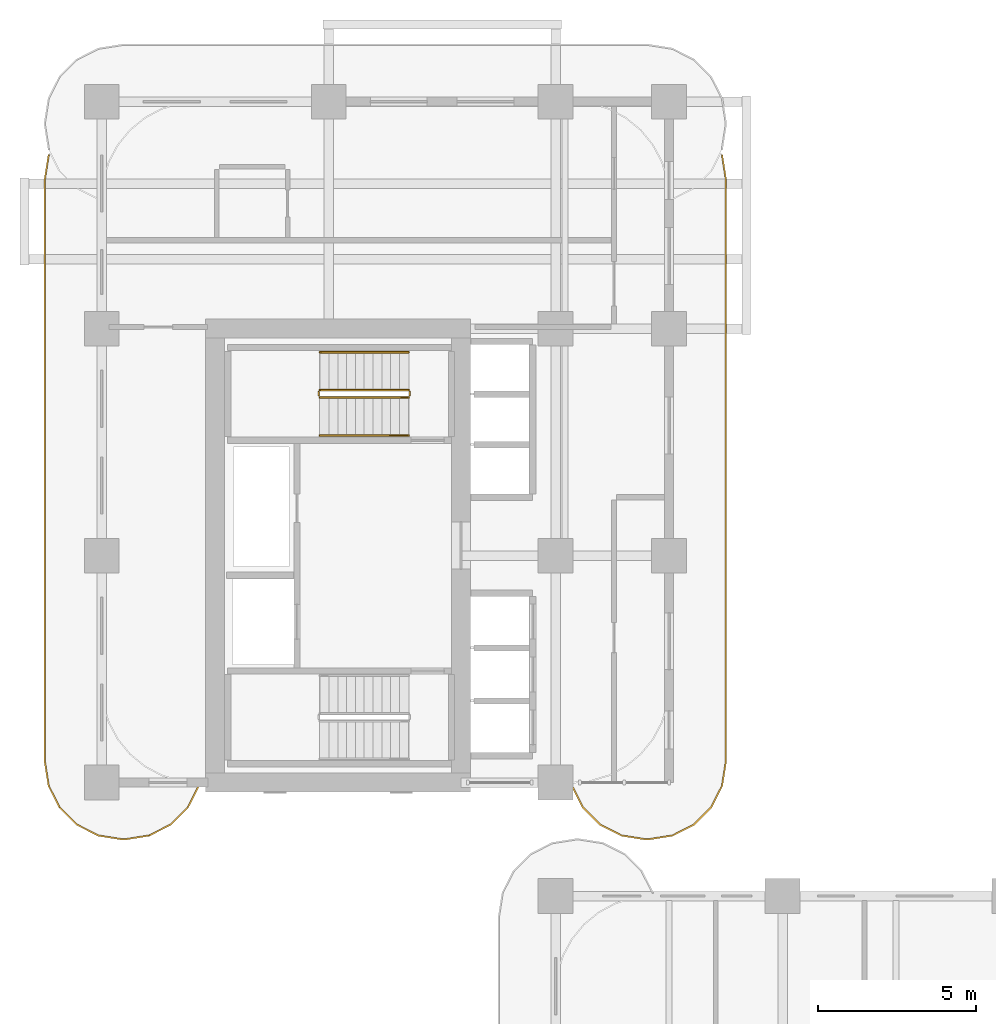
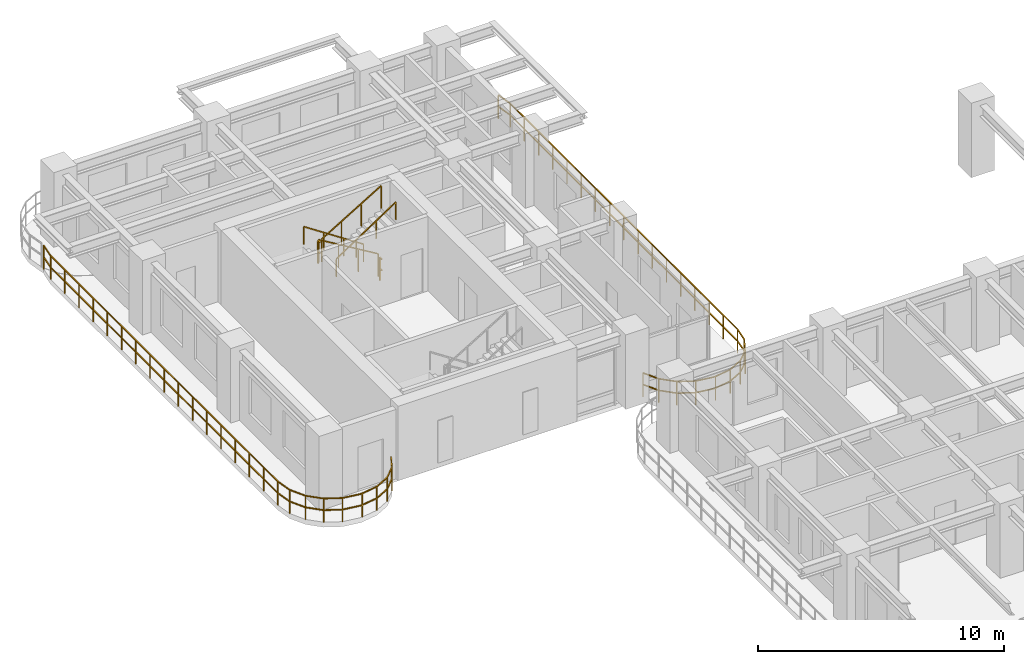
# One storey, part 18 of 19: 8 railings.
"""IFC4 building model written with IfcOpenShell, lengths in metres."""

import ifcopenshell
import ifcopenshell.guid

model = None  # the IFC model being written
_history = None  # IfcOwnerHistory: only IFC2X3 demands one
_inside = {}  # id of a spatial element -> (the spatial element, [elements in it])
_under = {}  # id of a project, library or spatial element -> (it, [spatial elements below it])
_declared = {}  # id of a project -> (the project, [libraries it declares])
_typed = {}  # id of a type object -> (the type object, [elements of that type])
_made_of = {}  # id of a material, layer set ... -> (it, [elements and type objects made of it])


def new_model(schema):
    """Start an empty IFC model of exactly this schema.

    Asked for "IFC4X3", IfcOpenShell would pick the latest addendum, in which some entities
    have other attributes; the version numbers below select the first issue.
    IFC2X3 requires an IfcOwnerHistory on every rooted entity: one is made here for all.
    """
    global model, _history
    if schema == "IFC4X3":
        model = ifcopenshell.file(schema_version=(4, 3, 0, 0))
    else:
        model = ifcopenshell.file(schema=schema)
    _inside.clear()
    _under.clear()
    _declared.clear()
    _typed.clear()
    _made_of.clear()
    _history = None
    if model.schema == "IFC2X3":
        org = make("IfcOrganization", Name="unknown")
        user = make(
            "IfcPersonAndOrganization",
            ThePerson=make("IfcPerson", FamilyName="unknown"),
            TheOrganization=org,
        )
        app = make(
            "IfcApplication",
            ApplicationDeveloper=org,
            Version="unknown",
            ApplicationFullName="unknown",
            ApplicationIdentifier="unknown",
        )
        _history = make(
            "IfcOwnerHistory",
            OwningUser=user,
            OwningApplication=app,
            ChangeAction="ADDED",
            CreationDate=0,
        )
    return model


def make(cls, **values):
    """One entity of the class cls with the attributes given. An attribute that is None is left unset."""
    return model.create_entity(
        cls, **{name: value for name, value in values.items() if value is not None}
    )


def rooted(cls, **values):
    """An entity with a GlobalId (a new one), such as an element, a storey or a relation."""
    return make(cls, GlobalId=ifcopenshell.guid.new(), OwnerHistory=_history, **values)


def si_unit(unit_type, name, prefix=None):
    """IfcSIUnit, for example si_unit("LENGTHUNIT", "METRE", prefix="MILLI")."""
    return make("IfcSIUnit", UnitType=unit_type, Prefix=prefix, Name=name)


def derived_unit(unit_type, elements):
    """IfcDerivedUnit: a product of units, each with its exponent."""
    return make(
        "IfcDerivedUnit",
        Elements=[
            make("IfcDerivedUnitElement", Unit=unit, Exponent=power)
            for unit, power in elements
        ],
        UnitType=unit_type,
    )


def assignment(units):
    """IfcUnitAssignment: the units of a project."""
    return None if units is None else make("IfcUnitAssignment", Units=units)


def point(xyz):
    """IfcCartesianPoint."""
    return None if xyz is None else make("IfcCartesianPoint", Coordinates=xyz)


def direction(xyz):
    """IfcDirection."""
    return None if xyz is None else make("IfcDirection", DirectionRatios=xyz)


def frame(location, z_axis=None, x_axis=None):
    """IfcAxis2Placement3D, a coordinate frame: its origin and axes. An axis left out is left unset."""
    return make(
        "IfcAxis2Placement3D",
        Location=point(location),
        Axis=direction(z_axis),
        RefDirection=direction(x_axis),
    )


def frame_2d(location, x_axis=None):
    """IfcAxis2Placement2D, a coordinate frame in the plane: its origin and x axis."""
    return make(
        "IfcAxis2Placement2D", Location=point(location), RefDirection=direction(x_axis)
    )


def origin():
    """The frame at (0, 0, 0) with its axes left unset."""
    return frame((0.0, 0.0, 0.0))


def origin_2d():
    """The frame at (0, 0) in the plane with its x axis left unset."""
    return frame_2d((0.0, 0.0))


def place(relative_to, where):
    """IfcLocalPlacement: puts the frame where relative to a parent placement (None: the world)."""
    return make(
        "IfcLocalPlacement", PlacementRelTo=relative_to, RelativePlacement=where
    )


def context(
    kind, dimensions, precision=None, world=None, true_north=None, identifier=None
):
    """IfcGeometricRepresentationContext, for example the 3D "Model" context."""
    return make(
        "IfcGeometricRepresentationContext",
        ContextIdentifier=identifier,
        ContextType=kind,
        CoordinateSpaceDimension=dimensions,
        Precision=precision,
        WorldCoordinateSystem=world,
        TrueNorth=true_north,
    )


def subcontext(parent, identifier, kind, view, scale=None):
    """IfcGeometricRepresentationSubContext, for example "Body" below "Model"."""
    return make(
        "IfcGeometricRepresentationSubContext",
        ContextIdentifier=identifier,
        ContextType=kind,
        ParentContext=parent,
        TargetScale=scale,
        TargetView=view,
    )


def project(units=None, contexts=None):
    """IfcProject with its units and contexts."""
    return rooted(
        "IfcProject",
        Name="project",
        RepresentationContexts=contexts,
        UnitsInContext=assignment(units),
    )


def spatial(cls, under=None, at=None, **own):
    """A site, building, storey or space (cls), placed at a placement, below another one or the project."""
    s = rooted(cls, ObjectPlacement=at, **own)
    if under is not None:
        _under.setdefault(under.id(), (under, []))[1].append(s)
    return s


def profile(cls, at=None, kind="AREA", **sizes):
    """A parametric profile (cls). Its sizes go by their IFC names, for example OverallWidth=200.0."""
    return make(cls, ProfileType=kind, Position=at, **sizes)


def rectangle(**sizes):
    """IfcRectangleProfileDef."""
    return profile("IfcRectangleProfileDef", **sizes)


def extrude(swept, where, along, depth):
    """IfcExtrudedAreaSolid: the profile swept, set in the frame where, extruded along a direction by depth."""
    return make(
        "IfcExtrudedAreaSolid",
        SweptArea=swept,
        Position=where,
        ExtrudedDirection=direction(along),
        Depth=depth,
    )


def shape(context_of_items, identifier, shape_type, items):
    """IfcShapeRepresentation: the items that make up one representation, for example the "Body"."""
    return make(
        "IfcShapeRepresentation",
        ContextOfItems=context_of_items,
        RepresentationIdentifier=identifier,
        RepresentationType=shape_type,
        Items=items,
    )


def material(Name=None, Category=None):
    """IfcMaterial."""
    return make("IfcMaterial", Name=Name, Category=Category)


def made_of(thing, what):
    """Note that an element or type object is made of a material, layer set ...; save() writes the relation."""
    if what is not None:
        _made_of.setdefault(what.id(), (what, []))[1].append(thing)
    return thing


def type_object(cls, material=None, **own):
    """A type object (cls), such as IfcWallType, which elements share."""
    return made_of(rooted(cls, **own), material)


def element(
    cls,
    number,
    at=None,
    inside=None,
    cuts=None,
    type_object=None,
    material=None,
    context=None,
    identifier="Body",
    shape_type=None,
    held_by="IfcProductDefinitionShape",
    body=None,
    shapes=None,
    **own,
):
    """One element of the class cls, such as IfcWall. Its Tag is "e" and its number.

    at: its placement. inside: the storey or other place that contains it. cuts: it is an
    opening in that element (IfcRelVoidsElement). A single representation is given by context,
    identifier, shape_type and body (its items); several are given by shapes. held_by: the class
    of the entity that holds the representations. save() writes the other relations.
    """
    e = rooted(cls, Tag="e%d" % number, ObjectPlacement=at, **own)
    if body is not None:
        shapes = [shape(context, identifier, shape_type, body)]
    if shapes is not None:
        e.Representation = make(held_by, Representations=shapes)
    if inside is not None:
        _inside.setdefault(inside.id(), (inside, []))[1].append(e)
    if cuts is not None:
        rooted(
            "IfcRelVoidsElement", RelatingBuildingElement=cuts, RelatedOpeningElement=e
        )
    if type_object is not None:
        _typed.setdefault(type_object.id(), (type_object, []))[1].append(e)
    return made_of(e, material)


def aggregate(whole, parts):
    """IfcRelAggregates: a whole, such as a stair, and the parts it consists of."""
    return rooted("IfcRelAggregates", RelatingObject=whole, RelatedObjects=parts)


def save(model, path):
    """Write the relations noted so far, then the file.

    IfcRelAggregates (storeys below a building ...), IfcRelContainedInSpatialStructure (elements
    in a storey), IfcRelDefinesByType, IfcRelAssociatesMaterial and IfcRelDeclares: one each for
    every whole, place, type object, material and project.
    """
    for whole, parts in _under.values():
        aggregate(whole, parts)
    for where, things in _inside.values():
        rooted(
            "IfcRelContainedInSpatialStructure",
            RelatedElements=things,
            RelatingStructure=where,
        )
    for kind, things in _typed.values():
        rooted("IfcRelDefinesByType", RelatedObjects=things, RelatingType=kind)
    for what, things in _made_of.values():
        rooted("IfcRelAssociatesMaterial", RelatedObjects=things, RelatingMaterial=what)
    for by, libraries in _declared.values():
        rooted("IfcRelDeclares", RelatingContext=by, RelatedDefinitions=libraries)
    model.write(path)


model = new_model("IFC4")

# Units and contexts
model_context = context("Model", 3, precision=1e-05, world=origin(), true_north=direction((0.0, 1.0)))
body_context = subcontext(model_context, "Body", "Model", "MODEL_VIEW")
ifc_project = project(units=[si_unit("LENGTHUNIT", "METRE"), si_unit("AREAUNIT", "SQUARE_METRE"), si_unit("VOLUMEUNIT", "CUBIC_METRE"), si_unit("PLANEANGLEUNIT", "RADIAN"), si_unit("MASSUNIT", "GRAM", prefix="KILO"), si_unit("THERMODYNAMICTEMPERATUREUNIT", "KELVIN"), si_unit("POWERUNIT", "WATT"), derived_unit("THERMALTRANSMITTANCEUNIT", [(si_unit("POWERUNIT", "WATT"), 1), (si_unit("AREAUNIT", "SQUARE_METRE"), -1), (si_unit("THERMODYNAMICTEMPERATUREUNIT", "KELVIN"), -1)])], contexts=[model_context])

# Site, building, storey
site_placement = place(None, origin())
site = spatial("IfcSite", under=ifc_project, at=site_placement, CompositionType="ELEMENT")
building_placement = place(site_placement, origin())
building = spatial("IfcBuilding", under=site, at=building_placement, Name="Zahravan Archway Hotel and Residences", CompositionType="ELEMENT")
storey_placement = place(building_placement, frame((0.0, 0.0, 43.5)))
storey = spatial("IfcBuildingStorey", under=building, at=storey_placement, Name="L09", CompositionType="ELEMENT", Elevation=43.5)

# Railings
ifc_material_1 = material(Name="Bronze & Laminated Glass Balustrade", Category="glass")
railing_type_1 = type_object("IfcRailingType", Name="RL-BAL-1200", PredefinedType="BALUSTRADE", material=ifc_material_1)
railing_1_placement = place(storey_placement, frame((3.080078125, 25.093017578125, 0.0)))
element("IfcRailing", 1, at=railing_1_placement, inside=storey, type_object=railing_type_1, Name="L09 Balustrade RL-SLB-BAL-L09-WB-1", PredefinedType="BALUSTRADE", context=body_context, shape_type="SweptSolid", body=[
    extrude(rectangle(XDim=0.048095703125, YDim=0.048095703125, at=origin_2d()), frame((0.0, 0.0, 1.17578125), z_axis=(-0.453825591531, -0.891090529897, 0.0), x_axis=(0.891090529897, -0.453825591531, 0.0)), (0.0, 0.0, 1.0), 0.7666015625),
    extrude(rectangle(XDim=0.048095703125, YDim=0.048095703125, at=origin_2d()), frame((0.0, 0.0, 0.60009765625), z_axis=(-0.453825591531, -0.891090529897, 0.0), x_axis=(0.891090529897, -0.453825591531, 0.0)), (0.0, 0.0, 1.0), 0.7666015625),
    extrude(rectangle(XDim=0.048095703125, YDim=0.048095703125, at=origin_2d()), frame((-0.347900390625, -0.68310546875, 1.17578125), z_axis=(-0.707106781187, -0.707106781187, 0.0), x_axis=(0.707106781187, -0.707106781187, 0.0)), (0.0, 0.0, 1.0), 0.7666015625),
    extrude(rectangle(XDim=0.048095703125, YDim=0.048095703125, at=origin_2d()), frame((-0.347900390625, -0.68310546875, 0.60009765625), z_axis=(-0.707106781187, -0.707106781187, 0.0), x_axis=(0.707106781187, -0.707106781187, 0.0)), (0.0, 0.0, 1.0), 0.7666015625),
    extrude(rectangle(XDim=0.048095703125, YDim=0.048095703125, at=origin_2d()), frame((-0.889892578125, -1.22509765625, 1.17578125), z_axis=(-0.891090529897, -0.453825591531, 0.0), x_axis=(0.453825591531, -0.891090529897, 0.0)), (0.0, 0.0, 1.0), 0.7666015625),
    extrude(rectangle(XDim=0.048095703125, YDim=0.048095703125, at=origin_2d()), frame((-0.889892578125, -1.22509765625, 0.60009765625), z_axis=(-0.891090529897, -0.453825591531, 0.0), x_axis=(0.453825591531, -0.891090529897, 0.0)), (0.0, 0.0, 1.0), 0.7666015625),
    extrude(rectangle(XDim=0.048095703125, YDim=0.048095703125, at=origin_2d()), frame((-1.572998046875, -1.572998046875, 1.17578125), z_axis=(-0.987646484274, -0.156698507018, 0.0), x_axis=(0.156698507018, -0.987646484274, 0.0)), (0.0, 0.0, 1.0), 0.7666015625),
    extrude(rectangle(XDim=0.048095703125, YDim=0.048095703125, at=origin_2d()), frame((-1.572998046875, -1.572998046875, 0.60009765625), z_axis=(-0.987646484274, -0.156698507018, 0.0), x_axis=(0.156698507018, -0.987646484274, 0.0)), (0.0, 0.0, 1.0), 0.7666015625),
    extrude(rectangle(XDim=0.048095703125, YDim=0.048095703125, at=origin_2d()), frame((-2.330078125, -1.693115234375, 1.17578125), z_axis=(-1.0, 0.0, 0.0), x_axis=(0.0, -1.0, 0.0)), (0.0, 0.0, 1.0), 0.10009765625),
    extrude(rectangle(XDim=0.048095703125, YDim=0.048095703125, at=origin_2d()), frame((-2.330078125, -1.693115234375, 0.60009765625), z_axis=(-1.0, 0.0, 0.0), x_axis=(0.0, -1.0, 0.0)), (0.0, 0.0, 1.0), 0.10009765625),
    extrude(rectangle(XDim=0.048095703125, YDim=0.048095703125, at=origin_2d()), frame((-2.43017578125, -1.693115234375, 1.17578125), z_axis=(-0.987646484274, 0.156698507018, 0.0), x_axis=(-0.156698507018, -0.987646484274, 0.0)), (0.0, 0.0, 1.0), 0.7666015625),
    extrude(rectangle(XDim=0.048095703125, YDim=0.048095703125, at=origin_2d()), frame((-2.43017578125, -1.693115234375, 0.60009765625), z_axis=(-0.987646484274, 0.156698507018, 0.0), x_axis=(-0.156698507018, -0.987646484274, 0.0)), (0.0, 0.0, 1.0), 0.7666015625),
    extrude(rectangle(XDim=0.048095703125, YDim=0.048095703125, at=origin_2d()), frame((-3.187255859375, -1.572998046875, 1.17578125), z_axis=(-0.891024909783, 0.453954414172, 0.0), x_axis=(-0.453954414172, -0.891024909783, 0.0)), (0.0, 0.0, 1.0), 0.766357421875),
    extrude(rectangle(XDim=0.048095703125, YDim=0.048095703125, at=origin_2d()), frame((-3.187255859375, -1.572998046875, 0.60009765625), z_axis=(-0.891024909783, 0.453954414172, 0.0), x_axis=(-0.453954414172, -0.891024909783, 0.0)), (0.0, 0.0, 1.0), 0.766357421875),
    extrude(rectangle(XDim=0.048095703125, YDim=0.048095703125, at=origin_2d()), frame((-3.8701171875, -1.22509765625, 1.17578125), z_axis=(-0.707106781187, 0.707106781187, 0.0), x_axis=(-0.707106781187, -0.707106781187, 0.0)), (0.0, 0.0, 1.0), 0.7666015625),
    extrude(rectangle(XDim=0.048095703125, YDim=0.048095703125, at=origin_2d()), frame((-3.8701171875, -1.22509765625, 0.60009765625), z_axis=(-0.707106781187, 0.707106781187, 0.0), x_axis=(-0.707106781187, -0.707106781187, 0.0)), (0.0, 0.0, 1.0), 0.7666015625),
    extrude(rectangle(XDim=0.048095703125, YDim=0.048095703125, at=origin_2d()), frame((-4.412109375, -0.68310546875, 1.17578125), z_axis=(-0.454078418624, 0.890961721815, 0.0), x_axis=(-0.890961721815, -0.454078418624, 0.0)), (0.0, 0.0, 1.0), 0.7666015625),
    extrude(rectangle(XDim=0.048095703125, YDim=0.048095703125, at=origin_2d()), frame((-4.412109375, -0.68310546875, 0.60009765625), z_axis=(-0.454078418624, 0.890961721815, 0.0), x_axis=(-0.890961721815, -0.454078418624, 0.0)), (0.0, 0.0, 1.0), 0.7666015625),
    extrude(rectangle(XDim=0.048095703125, YDim=0.048095703125, at=origin_2d()), frame((-4.76025390625, 0.0, 1.17578125), z_axis=(-0.156387811283, 0.987695728695, 0.0), x_axis=(-0.987695728695, -0.156387811283, 0.0)), (0.0, 0.0, 1.0), 0.7666015625),
    extrude(rectangle(XDim=0.048095703125, YDim=0.048095703125, at=origin_2d()), frame((-4.76025390625, 0.0, 0.60009765625), z_axis=(-0.156387811283, 0.987695728695, 0.0), x_axis=(-0.987695728695, -0.156387811283, 0.0)), (0.0, 0.0, 1.0), 0.7666015625),
    extrude(rectangle(XDim=0.048095703125, YDim=0.048095703125, at=origin_2d()), frame((-4.880126953125, 0.757080078125, 1.17578125), z_axis=(0.0, 1.0, 0.0), x_axis=(-1.0, 0.0, 0.0)), (0.0, 0.0, 1.0), 18.5),
    extrude(rectangle(XDim=0.048095703125, YDim=0.048095703125, at=origin_2d()), frame((-4.880126953125, 0.757080078125, 0.60009765625), z_axis=(0.0, 1.0, 0.0), x_axis=(-1.0, 0.0, 0.0)), (0.0, 0.0, 1.0), 18.5),
    extrude(rectangle(XDim=0.048095703125, YDim=0.048095703125, at=origin_2d()), frame((-4.880126953125, 19.257080078125, 1.17578125), z_axis=(0.156387811283, 0.987695728695, 0.0), x_axis=(-0.987695728695, 0.156387811283, 0.0)), (0.0, 0.0, 1.0), 0.7666015625),
    extrude(rectangle(XDim=0.048095703125, YDim=0.048095703125, at=origin_2d()), frame((-4.880126953125, 19.257080078125, 0.60009765625), z_axis=(0.156387811283, 0.987695728695, 0.0), x_axis=(-0.987695728695, 0.156387811283, 0.0)), (0.0, 0.0, 1.0), 0.7666015625),
    extrude(rectangle(XDim=0.0419921875, YDim=0.0419921875, at=origin_2d()), origin(), (0.0, 0.0, 1.0), 1.15185546875),
    extrude(rectangle(XDim=0.0419921875, YDim=0.0419921875, at=origin_2d()), frame((-0.347900390625, -0.68310546875, 0.0)), (0.0, 0.0, 1.0), 1.15185546875),
    extrude(rectangle(XDim=0.0419921875, YDim=0.0419921875, at=origin_2d()), frame((-0.889892578125, -1.22509765625, 0.0)), (0.0, 0.0, 1.0), 1.15185546875),
    extrude(rectangle(XDim=0.0419921875, YDim=0.0419921875, at=origin_2d()), frame((-1.572998046875, -1.572998046875, 0.0)), (0.0, 0.0, 1.0), 1.15185546875),
    extrude(rectangle(XDim=0.0419921875, YDim=0.0419921875, at=origin_2d()), frame((-2.330078125, -1.693115234375, 0.0)), (0.0, 0.0, 1.0), 1.15185546875),
    extrude(rectangle(XDim=0.0419921875, YDim=0.0419921875, at=origin_2d()), frame((-3.187255859375, -1.572998046875, 0.0)), (0.0, 0.0, 1.0), 1.15185546875),
    extrude(rectangle(XDim=0.0419921875, YDim=0.0419921875, at=origin_2d()), frame((-3.8701171875, -1.22509765625, 0.0)), (0.0, 0.0, 1.0), 1.15185546875),
    extrude(rectangle(XDim=0.0419921875, YDim=0.0419921875, at=origin_2d()), frame((-4.412109375, -0.68310546875, 0.0)), (0.0, 0.0, 1.0), 1.15185546875),
    extrude(rectangle(XDim=0.0419921875, YDim=0.0419921875, at=origin_2d()), frame((-4.76025390625, 0.0, 0.0)), (0.0, 0.0, 1.0), 1.15185546875),
    extrude(rectangle(XDim=0.0419921875, YDim=0.0419921875, at=origin_2d()), frame((-4.880126953125, 0.757080078125, 0.0)), (0.0, 0.0, 1.0), 1.15185546875),
    extrude(rectangle(XDim=0.0419921875, YDim=0.0419921875, at=origin_2d()), frame((-4.880126953125, 1.913330078125, 0.0)), (0.0, 0.0, 1.0), 1.15185546875),
    extrude(rectangle(XDim=0.0419921875, YDim=0.0419921875, at=origin_2d()), frame((-4.880126953125, 3.069580078125, 0.0)), (0.0, 0.0, 1.0), 1.15185546875),
    extrude(rectangle(XDim=0.0419921875, YDim=0.0419921875, at=origin_2d()), frame((-4.880126953125, 4.225830078125, 0.0)), (0.0, 0.0, 1.0), 1.15185546875),
    extrude(rectangle(XDim=0.0419921875, YDim=0.0419921875, at=origin_2d()), frame((-4.880126953125, 5.382080078125, 0.0)), (0.0, 0.0, 1.0), 1.15185546875),
    extrude(rectangle(XDim=0.0419921875, YDim=0.0419921875, at=origin_2d()), frame((-4.880126953125, 6.538330078125, 0.0)), (0.0, 0.0, 1.0), 1.15185546875),
    extrude(rectangle(XDim=0.0419921875, YDim=0.0419921875, at=origin_2d()), frame((-4.880126953125, 7.694580078125, 0.0)), (0.0, 0.0, 1.0), 1.15185546875),
    extrude(rectangle(XDim=0.0419921875, YDim=0.0419921875, at=origin_2d()), frame((-4.880126953125, 8.850830078125, 0.0)), (0.0, 0.0, 1.0), 1.15185546875),
    extrude(rectangle(XDim=0.0419921875, YDim=0.0419921875, at=origin_2d()), frame((-4.880126953125, 10.007080078125, 0.0)), (0.0, 0.0, 1.0), 1.15185546875),
    extrude(rectangle(XDim=0.0419921875, YDim=0.0419921875, at=origin_2d()), frame((-4.880126953125, 11.163330078125, 0.0)), (0.0, 0.0, 1.0), 1.15185546875),
    extrude(rectangle(XDim=0.0419921875, YDim=0.0419921875, at=origin_2d()), frame((-4.880126953125, 12.319580078125, 0.0)), (0.0, 0.0, 1.0), 1.15185546875),
    extrude(rectangle(XDim=0.0419921875, YDim=0.0419921875, at=origin_2d()), frame((-4.880126953125, 13.475830078125, 0.0)), (0.0, 0.0, 1.0), 1.15185546875),
    extrude(rectangle(XDim=0.0419921875, YDim=0.0419921875, at=origin_2d()), frame((-4.880126953125, 14.632080078125, 0.0)), (0.0, 0.0, 1.0), 1.15185546875),
    extrude(rectangle(XDim=0.0419921875, YDim=0.0419921875, at=origin_2d()), frame((-4.880126953125, 15.788330078125, 0.0)), (0.0, 0.0, 1.0), 1.15185546875),
    extrude(rectangle(XDim=0.0419921875, YDim=0.0419921875, at=origin_2d()), frame((-4.880126953125, 16.944580078125, 0.0)), (0.0, 0.0, 1.0), 1.15185546875),
    extrude(rectangle(XDim=0.0419921875, YDim=0.0419921875, at=origin_2d()), frame((-4.880126953125, 18.100830078125, 0.0)), (0.0, 0.0, 1.0), 1.15185546875),
    extrude(rectangle(XDim=0.0419921875, YDim=0.0419921875, at=origin_2d()), frame((-4.880126953125, 19.257080078125, 0.0)), (0.0, 0.0, 1.0), 1.15185546875),
    extrude(rectangle(XDim=0.0419921875, YDim=0.0419921875, at=origin_2d()), frame((-4.76025390625, 20.01416015625, 0.0)), (0.0, 0.0, 1.0), 1.15185546875),
])
railing_2_placement = place(storey_placement, frame((19.68017578125, 45.107177734375, 0.0)))
element("IfcRailing", 2, at=railing_2_placement, inside=storey, type_object=railing_type_1, Name="L09 Balustrade RL-SLB-BAL-L09-EB-1", PredefinedType="BALUSTRADE", context=body_context, shape_type="SweptSolid", body=[
    extrude(rectangle(XDim=0.048095703125, YDim=0.048095703125, at=origin_2d()), frame((0.0, 0.0, 1.17578125), z_axis=(0.156387811283, -0.987695728695, 0.0), x_axis=(0.987695728695, 0.156387811283, 0.0)), (0.0, 0.0, 1.0), 0.7666015625),
    extrude(rectangle(XDim=0.048095703125, YDim=0.048095703125, at=origin_2d()), frame((0.0, 0.0, 0.60009765625), z_axis=(0.156387811283, -0.987695728695, 0.0), x_axis=(0.987695728695, 0.156387811283, 0.0)), (0.0, 0.0, 1.0), 0.7666015625),
    extrude(rectangle(XDim=0.048095703125, YDim=0.048095703125, at=origin_2d()), frame((0.119873046875, -0.757080078125, 1.17578125), z_axis=(0.0, -1.0, 0.0), x_axis=(1.0, 0.0, 0.0)), (0.0, 0.0, 1.0), 18.5),
    extrude(rectangle(XDim=0.048095703125, YDim=0.048095703125, at=origin_2d()), frame((0.119873046875, -0.757080078125, 0.60009765625), z_axis=(0.0, -1.0, 0.0), x_axis=(1.0, 0.0, 0.0)), (0.0, 0.0, 1.0), 18.5),
    extrude(rectangle(XDim=0.048095703125, YDim=0.048095703125, at=origin_2d()), frame((0.119873046875, -19.257080078125, 1.17578125), z_axis=(-0.156387811283, -0.987695728695, 0.0), x_axis=(0.987695728695, -0.156387811283, 0.0)), (0.0, 0.0, 1.0), 0.7666015625),
    extrude(rectangle(XDim=0.048095703125, YDim=0.048095703125, at=origin_2d()), frame((0.119873046875, -19.257080078125, 0.60009765625), z_axis=(-0.156387811283, -0.987695728695, 0.0), x_axis=(0.987695728695, -0.156387811283, 0.0)), (0.0, 0.0, 1.0), 0.7666015625),
    extrude(rectangle(XDim=0.048095703125, YDim=0.048095703125, at=origin_2d()), frame((0.0, -20.01416015625, 1.17578125), z_axis=(-0.454078418624, -0.890961721815, 0.0), x_axis=(0.890961721815, -0.454078418624, 0.0)), (0.0, 0.0, 1.0), 0.7666015625),
    extrude(rectangle(XDim=0.048095703125, YDim=0.048095703125, at=origin_2d()), frame((0.0, -20.01416015625, 0.60009765625), z_axis=(-0.454078418624, -0.890961721815, 0.0), x_axis=(0.890961721815, -0.454078418624, 0.0)), (0.0, 0.0, 1.0), 0.7666015625),
    extrude(rectangle(XDim=0.048095703125, YDim=0.048095703125, at=origin_2d()), frame((-0.34814453125, -20.697265625, 1.17578125), z_axis=(-0.707106781187, -0.707106781187, 0.0), x_axis=(0.707106781187, -0.707106781187, 0.0)), (0.0, 0.0, 1.0), 0.7666015625),
    extrude(rectangle(XDim=0.048095703125, YDim=0.048095703125, at=origin_2d()), frame((-0.34814453125, -20.697265625, 0.60009765625), z_axis=(-0.707106781187, -0.707106781187, 0.0), x_axis=(0.707106781187, -0.707106781187, 0.0)), (0.0, 0.0, 1.0), 0.7666015625),
    extrude(rectangle(XDim=0.048095703125, YDim=0.048095703125, at=origin_2d()), frame((-0.89013671875, -21.2392578125, 1.17578125), z_axis=(-0.891024909783, -0.453954414172, 0.0), x_axis=(0.453954414172, -0.891024909783, 0.0)), (0.0, 0.0, 1.0), 0.766357421875),
    extrude(rectangle(XDim=0.048095703125, YDim=0.048095703125, at=origin_2d()), frame((-0.89013671875, -21.2392578125, 0.60009765625), z_axis=(-0.891024909783, -0.453954414172, 0.0), x_axis=(0.453954414172, -0.891024909783, 0.0)), (0.0, 0.0, 1.0), 0.766357421875),
    extrude(rectangle(XDim=0.048095703125, YDim=0.048095703125, at=origin_2d()), frame((-1.572998046875, -21.587158203125, 1.17578125), z_axis=(-0.987646484274, -0.156698507018, 0.0), x_axis=(0.156698507018, -0.987646484274, 0.0)), (0.0, 0.0, 1.0), 0.7666015625),
    extrude(rectangle(XDim=0.048095703125, YDim=0.048095703125, at=origin_2d()), frame((-1.572998046875, -21.587158203125, 0.60009765625), z_axis=(-0.987646484274, -0.156698507018, 0.0), x_axis=(0.156698507018, -0.987646484274, 0.0)), (0.0, 0.0, 1.0), 0.7666015625),
    extrude(rectangle(XDim=0.048095703125, YDim=0.048095703125, at=origin_2d()), frame((-2.330078125, -21.707275390625, 1.17578125), z_axis=(-1.0, 0.0, 0.0), x_axis=(0.0, -1.0, 0.0)), (0.0, 0.0, 1.0), 0.10009765625),
    extrude(rectangle(XDim=0.048095703125, YDim=0.048095703125, at=origin_2d()), frame((-2.330078125, -21.707275390625, 0.60009765625), z_axis=(-1.0, 0.0, 0.0), x_axis=(0.0, -1.0, 0.0)), (0.0, 0.0, 1.0), 0.10009765625),
    extrude(rectangle(XDim=0.048095703125, YDim=0.048095703125, at=origin_2d()), frame((-2.43017578125, -21.707275390625, 1.17578125), z_axis=(-0.987646484274, 0.156698507018, 0.0), x_axis=(-0.156698507018, -0.987646484274, 0.0)), (0.0, 0.0, 1.0), 0.7666015625),
    extrude(rectangle(XDim=0.048095703125, YDim=0.048095703125, at=origin_2d()), frame((-2.43017578125, -21.707275390625, 0.60009765625), z_axis=(-0.987646484274, 0.156698507018, 0.0), x_axis=(-0.156698507018, -0.987646484274, 0.0)), (0.0, 0.0, 1.0), 0.7666015625),
    extrude(rectangle(XDim=0.048095703125, YDim=0.048095703125, at=origin_2d()), frame((-3.187255859375, -21.587158203125, 1.17578125), z_axis=(-0.891090529897, 0.453825591531, 0.0), x_axis=(-0.453825591531, -0.891090529897, 0.0)), (0.0, 0.0, 1.0), 0.7666015625),
    extrude(rectangle(XDim=0.048095703125, YDim=0.048095703125, at=origin_2d()), frame((-3.187255859375, -21.587158203125, 0.60009765625), z_axis=(-0.891090529897, 0.453825591531, 0.0), x_axis=(-0.453825591531, -0.891090529897, 0.0)), (0.0, 0.0, 1.0), 0.7666015625),
    extrude(rectangle(XDim=0.048095703125, YDim=0.048095703125, at=origin_2d()), frame((-3.870361328125, -21.2392578125, 1.17578125), z_axis=(-0.707106781187, 0.707106781187, 0.0), x_axis=(-0.707106781187, -0.707106781187, 0.0)), (0.0, 0.0, 1.0), 0.7666015625),
    extrude(rectangle(XDim=0.048095703125, YDim=0.048095703125, at=origin_2d()), frame((-3.870361328125, -21.2392578125, 0.60009765625), z_axis=(-0.707106781187, 0.707106781187, 0.0), x_axis=(-0.707106781187, -0.707106781187, 0.0)), (0.0, 0.0, 1.0), 0.7666015625),
    extrude(rectangle(XDim=0.048095703125, YDim=0.048095703125, at=origin_2d()), frame((-4.412353515625, -20.697265625, 1.17578125), z_axis=(-0.453825591531, 0.891090529897, 0.0), x_axis=(-0.891090529897, -0.453825591531, 0.0)), (0.0, 0.0, 1.0), 0.7666015625),
    extrude(rectangle(XDim=0.048095703125, YDim=0.048095703125, at=origin_2d()), frame((-4.412353515625, -20.697265625, 0.60009765625), z_axis=(-0.453825591531, 0.891090529897, 0.0), x_axis=(-0.891090529897, -0.453825591531, 0.0)), (0.0, 0.0, 1.0), 0.7666015625),
    extrude(rectangle(XDim=0.0419921875, YDim=0.0419921875, at=origin_2d()), origin(), (0.0, 0.0, 1.0), 1.15185546875),
    extrude(rectangle(XDim=0.0419921875, YDim=0.0419921875, at=origin_2d()), frame((0.119873046875, -0.757080078125, 0.0)), (0.0, 0.0, 1.0), 1.15185546875),
    extrude(rectangle(XDim=0.0419921875, YDim=0.0419921875, at=origin_2d()), frame((0.119873046875, -1.913330078125, 0.0)), (0.0, 0.0, 1.0), 1.15185546875),
    extrude(rectangle(XDim=0.0419921875, YDim=0.0419921875, at=origin_2d()), frame((0.119873046875, -3.069580078125, 0.0)), (0.0, 0.0, 1.0), 1.15185546875),
    extrude(rectangle(XDim=0.0419921875, YDim=0.0419921875, at=origin_2d()), frame((0.119873046875, -4.225830078125, 0.0)), (0.0, 0.0, 1.0), 1.15185546875),
    extrude(rectangle(XDim=0.0419921875, YDim=0.0419921875, at=origin_2d()), frame((0.119873046875, -5.382080078125, 0.0)), (0.0, 0.0, 1.0), 1.15185546875),
    extrude(rectangle(XDim=0.0419921875, YDim=0.0419921875, at=origin_2d()), frame((0.119873046875, -6.538330078125, 0.0)), (0.0, 0.0, 1.0), 1.15185546875),
    extrude(rectangle(XDim=0.0419921875, YDim=0.0419921875, at=origin_2d()), frame((0.119873046875, -7.694580078125, 0.0)), (0.0, 0.0, 1.0), 1.15185546875),
    extrude(rectangle(XDim=0.0419921875, YDim=0.0419921875, at=origin_2d()), frame((0.119873046875, -8.850830078125, 0.0)), (0.0, 0.0, 1.0), 1.15185546875),
    extrude(rectangle(XDim=0.0419921875, YDim=0.0419921875, at=origin_2d()), frame((0.119873046875, -10.007080078125, 0.0)), (0.0, 0.0, 1.0), 1.15185546875),
    extrude(rectangle(XDim=0.0419921875, YDim=0.0419921875, at=origin_2d()), frame((0.119873046875, -11.163330078125, 0.0)), (0.0, 0.0, 1.0), 1.15185546875),
    extrude(rectangle(XDim=0.0419921875, YDim=0.0419921875, at=origin_2d()), frame((0.119873046875, -12.319580078125, 0.0)), (0.0, 0.0, 1.0), 1.15185546875),
    extrude(rectangle(XDim=0.0419921875, YDim=0.0419921875, at=origin_2d()), frame((0.119873046875, -13.475830078125, 0.0)), (0.0, 0.0, 1.0), 1.15185546875),
    extrude(rectangle(XDim=0.0419921875, YDim=0.0419921875, at=origin_2d()), frame((0.119873046875, -14.632080078125, 0.0)), (0.0, 0.0, 1.0), 1.15185546875),
    extrude(rectangle(XDim=0.0419921875, YDim=0.0419921875, at=origin_2d()), frame((0.119873046875, -15.788330078125, 0.0)), (0.0, 0.0, 1.0), 1.15185546875),
    extrude(rectangle(XDim=0.0419921875, YDim=0.0419921875, at=origin_2d()), frame((0.119873046875, -16.944580078125, 0.0)), (0.0, 0.0, 1.0), 1.15185546875),
    extrude(rectangle(XDim=0.0419921875, YDim=0.0419921875, at=origin_2d()), frame((0.119873046875, -18.100830078125, 0.0)), (0.0, 0.0, 1.0), 1.15185546875),
    extrude(rectangle(XDim=0.0419921875, YDim=0.0419921875, at=origin_2d()), frame((0.119873046875, -19.257080078125, 0.0)), (0.0, 0.0, 1.0), 1.15185546875),
    extrude(rectangle(XDim=0.0419921875, YDim=0.0419921875, at=origin_2d()), frame((0.0, -20.01416015625, 0.0)), (0.0, 0.0, 1.0), 1.15185546875),
    extrude(rectangle(XDim=0.0419921875, YDim=0.0419921875, at=origin_2d()), frame((-0.34814453125, -20.697265625, 0.0)), (0.0, 0.0, 1.0), 1.15185546875),
    extrude(rectangle(XDim=0.0419921875, YDim=0.0419921875, at=origin_2d()), frame((-0.89013671875, -21.2392578125, 0.0)), (0.0, 0.0, 1.0), 1.15185546875),
    extrude(rectangle(XDim=0.0419921875, YDim=0.0419921875, at=origin_2d()), frame((-1.572998046875, -21.587158203125, 0.0)), (0.0, 0.0, 1.0), 1.15185546875),
    extrude(rectangle(XDim=0.0419921875, YDim=0.0419921875, at=origin_2d()), frame((-2.330078125, -21.707275390625, 0.0)), (0.0, 0.0, 1.0), 1.15185546875),
    extrude(rectangle(XDim=0.0419921875, YDim=0.0419921875, at=origin_2d()), frame((-3.187255859375, -21.587158203125, 0.0)), (0.0, 0.0, 1.0), 1.15185546875),
    extrude(rectangle(XDim=0.0419921875, YDim=0.0419921875, at=origin_2d()), frame((-3.870361328125, -21.2392578125, 0.0)), (0.0, 0.0, 1.0), 1.15185546875),
    extrude(rectangle(XDim=0.0419921875, YDim=0.0419921875, at=origin_2d()), frame((-4.412353515625, -20.697265625, 0.0)), (0.0, 0.0, 1.0), 1.15185546875),
    extrude(rectangle(XDim=0.0419921875, YDim=0.0419921875, at=origin_2d()), frame((-4.76025390625, -20.01416015625, 0.0)), (0.0, 0.0, 1.0), 1.15185546875),
])
ifc_material_2 = material(Name="Painted Tubular Steel", Category="steel")
railing_type_2 = type_object("IfcRailingType", Name="RL-STG-1150", PredefinedType="GUARDRAIL", material=ifc_material_2)
railing_3_placement = place(storey_placement, frame((9.72998046875, 37.64990234375, 0.168212890625)))
element("IfcRailing", 3, at=railing_3_placement, inside=storey, type_object=railing_type_2, Name="L09 ST-B2 stair guard 1", PredefinedType="GUARDRAIL", context=body_context, shape_type="SweptSolid", body=[
    extrude(rectangle(XDim=0.048095703125, YDim=0.048095703125, at=origin_2d()), frame((0.0, 0.0, 1.1259765625), z_axis=(-0.857242210791, 0.0, 0.514913383045), x_axis=(0.0, -1.0, 0.0)), (0.0, 0.0, 1.0), 3.266357421875),
    extrude(rectangle(XDim=0.0419921875, YDim=0.0419921875, at=origin_2d()), origin(), (0.0, 0.0, 1.0), 1.101806640625),
    extrude(rectangle(XDim=0.0419921875, YDim=0.0419921875, at=origin_2d()), frame((-0.933349609375, 0.0, 0.560546875)), (0.0, 0.0, 1.0), 1.101806640625),
    extrude(rectangle(XDim=0.0419921875, YDim=0.0419921875, at=origin_2d()), frame((-1.86669921875, 0.0, 1.121337890625)), (0.0, 0.0, 1.0), 1.101806640625),
    extrude(rectangle(XDim=0.0419921875, YDim=0.0419921875, at=origin_2d()), frame((-2.800048828125, 0.0, 1.681884765625)), (0.0, 0.0, 1.0), 1.101806640625),
])
railing_4_placement = place(storey_placement, frame((6.8798828125, 37.60009765625, 1.85009765625)))
element("IfcRailing", 4, at=railing_4_placement, inside=storey, type_object=railing_type_2, Name="L09 ST-B2 stair guard 2", PredefinedType="GUARDRAIL", context=body_context, shape_type="SweptSolid", body=[
    extrude(rectangle(XDim=0.048095703125, YDim=0.048095703125, at=origin_2d()), frame((0.0, 0.0, 1.1259765625), z_axis=(0.0, -1.0, 0.0), x_axis=(1.0, 0.0, 0.0)), (0.0, 0.0, 1.0), 0.14013671875),
    extrude(rectangle(XDim=0.048095703125, YDim=0.048095703125, at=origin_2d()), frame((0.0, 0.0, 0.574951171875), z_axis=(0.0, -1.0, 0.0), x_axis=(1.0, 0.0, 0.0)), (0.0, 0.0, 1.0), 0.14013671875),
    extrude(rectangle(XDim=0.0419921875, YDim=0.0419921875, at=origin_2d()), origin(), (0.0, 0.0, 1.0), 1.101806640625),
])
railing_5_placement = place(storey_placement, frame((6.929931640625, 37.409912109375, 2.01806640625)))
element("IfcRailing", 5, at=railing_5_placement, inside=storey, type_object=railing_type_2, Name="L09 ST-B2 stair guard 3", PredefinedType="GUARDRAIL", context=body_context, shape_type="SweptSolid", body=[
    extrude(rectangle(XDim=0.048095703125, YDim=0.048095703125, at=origin_2d()), frame((0.0, 0.0, 1.1259765625), z_axis=(0.857242210791, 0.0, 0.514913383045), x_axis=(0.0, 1.0, 0.0)), (0.0, 0.0, 1.0), 3.266357421875),
    extrude(rectangle(XDim=0.0419921875, YDim=0.0419921875, at=origin_2d()), origin(), (0.0, 0.0, 1.0), 1.101806640625),
    extrude(rectangle(XDim=0.0419921875, YDim=0.0419921875, at=origin_2d()), frame((0.933349609375, 0.0, 0.560546875)), (0.0, 0.0, 1.0), 1.101806640625),
    extrude(rectangle(XDim=0.0419921875, YDim=0.0419921875, at=origin_2d()), frame((1.86669921875, 0.0, 1.121337890625)), (0.0, 0.0, 1.0), 1.101806640625),
    extrude(rectangle(XDim=0.0419921875, YDim=0.0419921875, at=origin_2d()), frame((2.800048828125, 0.0, 1.681884765625)), (0.0, 0.0, 1.0), 1.101806640625),
])
railing_6_placement = place(storey_placement, frame((9.780029296875, 37.60009765625, 0.0)))
element("IfcRailing", 6, at=railing_6_placement, inside=storey, type_object=railing_type_2, Name="L09 ST-B2 stair guard 4", PredefinedType="GUARDRAIL", context=body_context, shape_type="SweptSolid", body=[
    extrude(rectangle(XDim=0.048095703125, YDim=0.048095703125, at=origin_2d()), frame((0.0, 0.0, 1.1259765625), z_axis=(0.0, -1.0, 0.0), x_axis=(1.0, 0.0, 0.0)), (0.0, 0.0, 1.0), 0.14013671875),
    extrude(rectangle(XDim=0.048095703125, YDim=0.048095703125, at=origin_2d()), frame((0.0, 0.0, 0.574951171875), z_axis=(0.0, -1.0, 0.0), x_axis=(1.0, 0.0, 0.0)), (0.0, 0.0, 1.0), 0.14013671875),
    extrude(rectangle(XDim=0.0419921875, YDim=0.0419921875, at=origin_2d()), origin(), (0.0, 0.0, 1.0), 1.101806640625),
])
ifc_material_3 = material(Name="Brushed Stainless Steel", Category="steel")
railing_type_3 = type_object("IfcRailingType", Name="RL-STH-900", PredefinedType="HANDRAIL", material=ifc_material_3)
railing_7_placement = place(storey_placement, frame((9.72998046875, 38.85009765625, 0.168212890625)))
element("IfcRailing", 7, at=railing_7_placement, inside=storey, type_object=railing_type_3, Name="L09 ST-B2 stair handrail 1", PredefinedType="HANDRAIL", context=body_context, shape_type="SweptSolid", body=[
    extrude(rectangle(XDim=0.048095703125, YDim=0.048095703125, at=origin_2d()), frame((0.0, 0.0, 0.8759765625), z_axis=(-0.83435981716, 0.0, 0.551220187865), x_axis=(0.0, -1.0, 0.0)), (0.0, 0.0, 1.0), 3.35595703125),
    extrude(rectangle(XDim=0.0419921875, YDim=0.0419921875, at=origin_2d()), origin(), (0.0, 0.0, 1.0), 0.851806640625),
    extrude(rectangle(XDim=0.0419921875, YDim=0.0419921875, at=origin_2d()), frame((-0.933349609375, 0.0, 0.61669921875)), (0.0, 0.0, 1.0), 0.851806640625),
    extrude(rectangle(XDim=0.0419921875, YDim=0.0419921875, at=origin_2d()), frame((-1.86669921875, 0.0, 1.233154296875)), (0.0, 0.0, 1.0), 0.851806640625),
    extrude(rectangle(XDim=0.0419921875, YDim=0.0419921875, at=origin_2d()), frame((-2.800048828125, 0.0, 1.849853515625)), (0.0, 0.0, 1.0), 0.851806640625),
])
railing_8_placement = place(storey_placement, frame((6.929931640625, 36.2099609375, 2.01806640625)))
element("IfcRailing", 8, at=railing_8_placement, inside=storey, type_object=railing_type_3, Name="L09 ST-B2 stair handrail 2", PredefinedType="HANDRAIL", context=body_context, shape_type="SweptSolid", body=[
    extrude(rectangle(XDim=0.048095703125, YDim=0.048095703125, at=origin_2d()), frame((0.0, 0.0, 0.8759765625), z_axis=(0.834326358476, 0.0, 0.551270829586), x_axis=(0.0, 1.0, 0.0)), (0.0, 0.0, 1.0), 3.35595703125),
    extrude(rectangle(XDim=0.0419921875, YDim=0.0419921875, at=origin_2d()), origin(), (0.0, 0.0, 1.0), 0.851806640625),
    extrude(rectangle(XDim=0.0419921875, YDim=0.0419921875, at=origin_2d()), frame((0.933349609375, 0.0, 0.61669921875)), (0.0, 0.0, 1.0), 0.851806640625),
    extrude(rectangle(XDim=0.0419921875, YDim=0.0419921875, at=origin_2d()), frame((1.86669921875, 0.0, 1.2333984375)), (0.0, 0.0, 1.0), 0.851806640625),
    extrude(rectangle(XDim=0.0419921875, YDim=0.0419921875, at=origin_2d()), frame((2.800048828125, 0.0, 1.85009765625)), (0.0, 0.0, 1.0), 0.851806640625),
])

save(model, "model.ifc")
